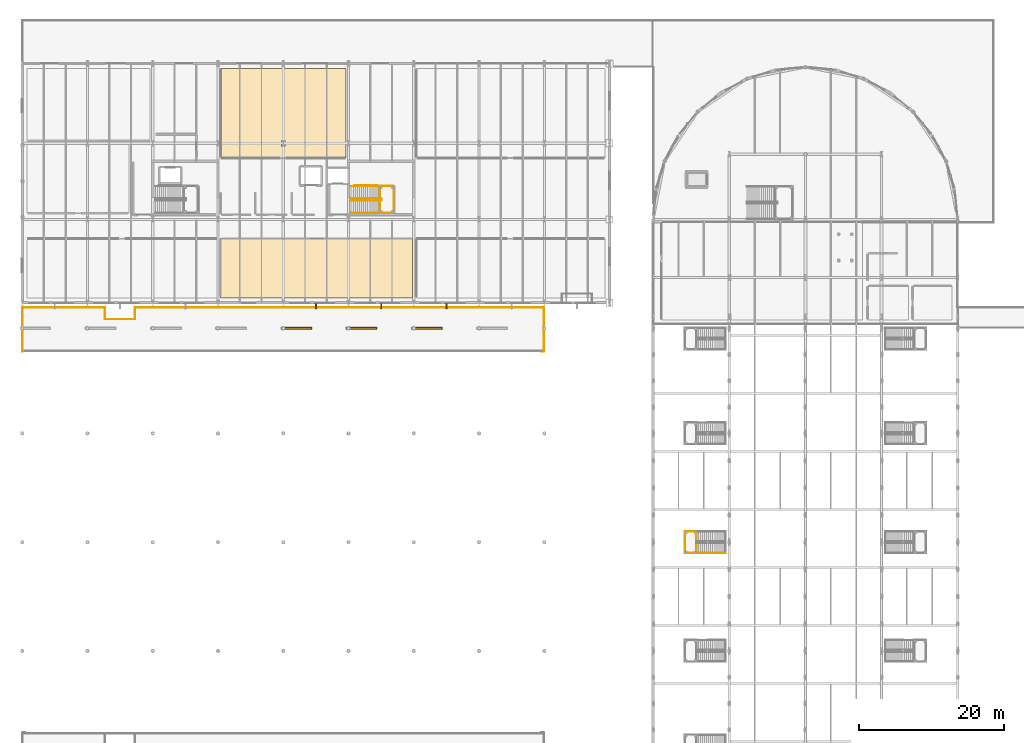
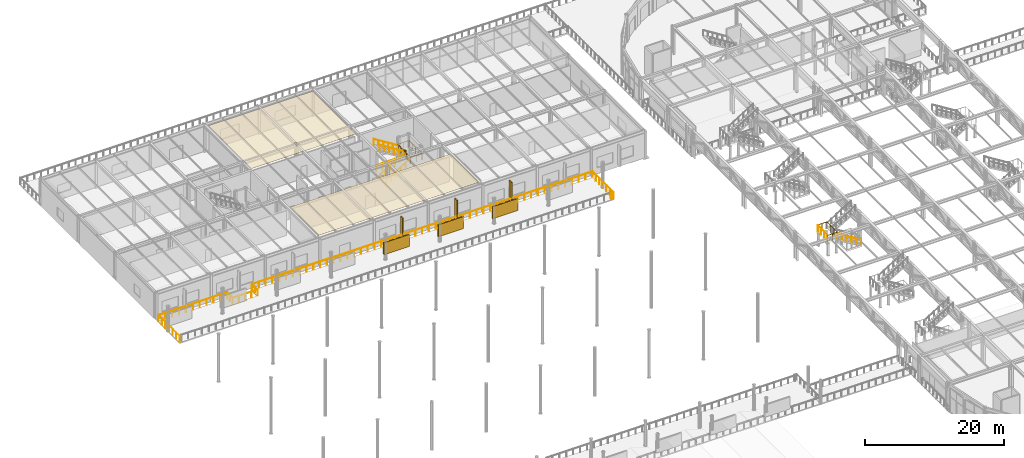
# One storey, part 127 of 143: 11 railings, 6 shading devices, 2 coverings.
"""IFC4 building model written with IfcOpenShell, lengths in metres."""

from ifc_helpers import new_model, si_unit, direction, frame, origin, origin_2d, place, context, subcontext, project, spatial, polyline, rectangle, circle, outline, extrude, material, layer, layer_set, type_object, element, save


model = new_model("IFC4")

# Units and contexts
model_context = context("Model", 3, precision=1e-05, world=origin(), true_north=direction((0.0, 1.0)))
body_context = subcontext(model_context, "Body", "Model", "MODEL_VIEW")
ifc_project = project(units=[si_unit("LENGTHUNIT", "METRE"), si_unit("AREAUNIT", "SQUARE_METRE"), si_unit("VOLUMEUNIT", "CUBIC_METRE"), si_unit("PLANEANGLEUNIT", "RADIAN"), si_unit("MASSUNIT", "GRAM", prefix="KILO")], contexts=[model_context])

# Site, building, storey
site_placement = place(None, origin())
site = spatial("IfcSite", under=ifc_project, at=site_placement, CompositionType="ELEMENT")
building_placement = place(site_placement, origin())
building = spatial("IfcBuilding", under=site, at=building_placement, Name="Marlcrest Central Station", CompositionType="ELEMENT")
storey_placement = place(building_placement, frame((0.0, 0.0, 4.800048828125)))
storey = spatial("IfcBuildingStorey", under=building, at=storey_placement, Name="L01", CompositionType="ELEMENT", Elevation=4.800048828125)

# Coverings
ifc_material_1 = material(Name="Perforated acoustic mineral-fibre ceiling")
ifc_layer = layer(ifc_material_1, 0.02490234375, Name="CV-CLG")
ifc_layer_set = layer_set([ifc_layer], Name="Perforated acoustic mineral-fibre ceiling")
covering_type = type_object("IfcCoveringType", Name="CV-CLG", PredefinedType="CEILING", material=ifc_layer_set)
covering_1_placement = place(storey_placement, frame((0.0, 0.0, 4.675048828125)))
element("IfcCovering", 1, at=covering_1_placement, inside=storey, type_object=covering_type, Name="cov-clg-0082", PredefinedType="CEILING", context=body_context, shape_type="SweptSolid", body=[
    extrude(outline(polyline([(53.840087890625, 99.659912109375), (53.840087890625, 107.840087890625), (27.360107421875, 107.840087890625), (27.360107421875, 99.659912109375), (53.840087890625, 99.659912109375)])), origin(), (0.0, 0.0, 1.0), 0.02490234375),
])
covering_2_placement = place(storey_placement, frame((0.0, 0.0, 4.675048828125)))
element("IfcCovering", 2, at=covering_2_placement, inside=storey, type_object=covering_type, Name="cov-clg-0086", PredefinedType="CEILING", context=body_context, shape_type="SweptSolid", body=[
    extrude(outline(polyline([(27.360107421875, 118.9599609375), (27.360107421875, 131.340087890625), (44.639892578125, 131.340087890625), (44.639892578125, 118.9599609375), (27.360107421875, 118.9599609375)]), holes=[polyline([(36.2099609375, 121.409912109375), (35.7900390625, 121.409912109375), (35.7900390625, 120.590087890625), (36.2099609375, 120.590087890625), (36.2099609375, 121.409912109375)])]), origin(), (0.0, 0.0, 1.0), 0.02490234375),
])

# Railings
ifc_material_2 = material(Name="Stainless steel and laminated glass concourse balustrade", Category="steel")
railing_type_1 = type_object("IfcRailingType", Name="GR-02", PredefinedType="BALUSTRADE", material=ifc_material_2)
railing_1_placement = place(storey_placement, frame((91.3798828125, 64.510009765625, 2.5)))
element("IfcRailing", 3, at=railing_1_placement, inside=storey, type_object=railing_type_1, Name="hr-L01-00084", PredefinedType="BALUSTRADE", context=body_context, shape_type="SweptSolid", body=[
    extrude(circle(Radius=0.02392578125, at=origin_2d()), frame((0.0, 0.0, 1.09619140625), z_axis=(1.0, 0.0, 0.0), x_axis=(0.0, 1.0, 0.0)), (0.0, 0.0, 1.0), 1.60009765625),
    extrude(circle(Radius=0.02392578125, at=origin_2d()), frame((1.60009765625, 0.0, 1.09619140625), z_axis=(0.0, 1.0, 0.0), x_axis=(-1.0, 0.0, 0.0)), (0.0, 0.0, 1.0), 2.97998046875),
    extrude(circle(Radius=0.02392578125, at=origin_2d()), frame((1.60009765625, 2.97998046875, 1.09619140625), z_axis=(-1.0, 0.0, 0.0), x_axis=(0.0, -1.0, 0.0)), (0.0, 0.0, 1.0), 1.60009765625),
    extrude(circle(Radius=0.02099609375, at=origin_2d()), origin(), (0.0, 0.0, 1.0), 1.072021484375),
    extrude(circle(Radius=0.02099609375, at=origin_2d()), frame((0.800048828125, 0.0, 0.0)), (0.0, 0.0, 1.0), 1.072021484375),
    extrude(circle(Radius=0.02099609375, at=origin_2d()), frame((1.60009765625, 0.0, 0.0)), (0.0, 0.0, 1.0), 1.072021484375),
    extrude(circle(Radius=0.02099609375, at=origin_2d()), frame((1.60009765625, 0.993408203125, 0.0)), (0.0, 0.0, 1.0), 1.072021484375),
    extrude(circle(Radius=0.02099609375, at=origin_2d()), frame((1.60009765625, 1.986572265625, 0.0)), (0.0, 0.0, 1.0), 1.072021484375),
    extrude(circle(Radius=0.02099609375, at=origin_2d()), frame((1.60009765625, 2.97998046875, 0.0)), (0.0, 0.0, 1.0), 1.072021484375),
    extrude(circle(Radius=0.02099609375, at=origin_2d()), frame((0.800048828125, 2.97998046875, 0.0)), (0.0, 0.0, 1.0), 1.072021484375),
    extrude(circle(Radius=0.02099609375, at=origin_2d()), frame((0.0, 2.97998046875, 0.0)), (0.0, 0.0, 1.0), 1.072021484375),
])
railing_2_placement = place(storey_placement, frame((49.320068359375, 111.409912109375, 2.5)))
element("IfcRailing", 4, at=railing_2_placement, inside=storey, type_object=railing_type_1, Name="hr-L01-00255", PredefinedType="BALUSTRADE", context=body_context, shape_type="SweptSolid", body=[
    extrude(circle(Radius=0.02392578125, at=origin_2d()), frame((0.0, 0.0, 1.09619140625), z_axis=(1.0, 0.0, 0.0), x_axis=(0.0, 1.0, 0.0)), (0.0, 0.0, 1.0), 1.919921875),
    extrude(circle(Radius=0.02392578125, at=origin_2d()), frame((1.919921875, 0.0, 1.09619140625), z_axis=(0.0, 1.0, 0.0), x_axis=(-1.0, 0.0, 0.0)), (0.0, 0.0, 1.0), 3.68017578125),
    extrude(circle(Radius=0.02392578125, at=origin_2d()), frame((1.919921875, 3.68017578125, 1.09619140625), z_axis=(-1.0, 0.0, 0.0), x_axis=(0.0, -1.0, 0.0)), (0.0, 0.0, 1.0), 1.919921875),
    extrude(circle(Radius=0.02099609375, at=origin_2d()), origin(), (0.0, 0.0, 1.0), 1.072021484375),
    extrude(circle(Radius=0.02099609375, at=origin_2d()), frame((0.9599609375, 0.0, 0.0)), (0.0, 0.0, 1.0), 1.072021484375),
    extrude(circle(Radius=0.02099609375, at=origin_2d()), frame((1.919921875, 0.0, 0.0)), (0.0, 0.0, 1.0), 1.072021484375),
    extrude(circle(Radius=0.02099609375, at=origin_2d()), frame((1.919921875, 0.919921875, 0.0)), (0.0, 0.0, 1.0), 1.072021484375),
    extrude(circle(Radius=0.02099609375, at=origin_2d()), frame((1.919921875, 1.840087890625, 0.0)), (0.0, 0.0, 1.0), 1.072021484375),
    extrude(circle(Radius=0.02099609375, at=origin_2d()), frame((1.919921875, 2.76025390625, 0.0)), (0.0, 0.0, 1.0), 1.072021484375),
    extrude(circle(Radius=0.02099609375, at=origin_2d()), frame((1.919921875, 3.68017578125, 0.0)), (0.0, 0.0, 1.0), 1.072021484375),
    extrude(circle(Radius=0.02099609375, at=origin_2d()), frame((0.9599609375, 3.68017578125, 0.0)), (0.0, 0.0, 1.0), 1.072021484375),
    extrude(circle(Radius=0.02099609375, at=origin_2d()), frame((0.0, 3.68017578125, 0.0)), (0.0, 0.0, 1.0), 1.072021484375),
])
railing_3_placement = place(storey_placement, frame((48.991943359375, 115.159912109375, 0.0)))
element("IfcRailing", 5, at=railing_3_placement, inside=storey, type_object=railing_type_1, Name="hr-L01-00315", PredefinedType="BALUSTRADE", context=body_context, shape_type="SweptSolid", body=[
    extrude(circle(Radius=0.02392578125, at=origin_2d()), frame((0.0, 0.0, 1.09619140625), z_axis=(-1.0, 0.0, 0.0), x_axis=(0.0, -1.0, 0.0)), (0.0, 0.0, 1.0), 3.171875),
    extrude(circle(Radius=0.02099609375, at=origin_2d()), origin(), (0.0, 0.0, 1.0), 1.072021484375),
    extrude(circle(Radius=0.02099609375, at=origin_2d()), frame((-1.057373046875, 0.0, 0.0)), (0.0, 0.0, 1.0), 1.072021484375),
    extrude(circle(Radius=0.02099609375, at=origin_2d()), frame((-2.114501953125, 0.0, 0.0)), (0.0, 0.0, 1.0), 1.072021484375),
    extrude(circle(Radius=0.02099609375, at=origin_2d()), frame((-3.171875, 0.0, 0.0)), (0.0, 0.0, 1.0), 1.072021484375),
])
railing_4_placement = place(storey_placement, frame((0.06005859375, 92.260009765625, 0.0)))
element("IfcRailing", 6, at=railing_4_placement, inside=storey, type_object=railing_type_1, Name="hr-L01-00392", PredefinedType="BALUSTRADE", context=body_context, shape_type="SweptSolid", body=[
    extrude(circle(Radius=0.02392578125, at=origin_2d()), frame((0.0, 0.0, 1.09619140625), z_axis=(0.0, 1.0, 0.0), x_axis=(-1.0, 0.0, 0.0)), (0.0, 0.0, 1.0), 6.080078125),
    extrude(circle(Radius=0.02392578125, at=origin_2d()), frame((0.0, 6.080078125, 1.09619140625), z_axis=(1.0, 0.0, 0.0), x_axis=(0.0, 1.0, 0.0)), (0.0, 0.0, 1.0), 11.3798828125),
    extrude(circle(Radius=0.02392578125, at=origin_2d()), frame((11.3798828125, 6.080078125, 1.09619140625), z_axis=(0.0, -1.0, 0.0), x_axis=(1.0, 0.0, 0.0)), (0.0, 0.0, 1.0), 1.60009765625),
    extrude(circle(Radius=0.02392578125, at=origin_2d()), frame((11.3798828125, 4.47998046875, 1.09619140625), z_axis=(1.0, 0.0, 0.0), x_axis=(0.0, 1.0, 0.0)), (0.0, 0.0, 1.0), 4.1201171875),
    extrude(circle(Radius=0.02392578125, at=origin_2d()), frame((15.5, 4.47998046875, 1.09619140625), z_axis=(0.0, 1.0, 0.0), x_axis=(-1.0, 0.0, 0.0)), (0.0, 0.0, 1.0), 1.60009765625),
    extrude(circle(Radius=0.02392578125, at=origin_2d()), frame((15.5, 6.080078125, 1.09619140625), z_axis=(1.0, 0.0, 0.0), x_axis=(0.0, 1.0, 0.0)), (0.0, 0.0, 1.0), 56.3798828125),
    extrude(circle(Radius=0.02392578125, at=origin_2d()), frame((71.8798828125, 6.080078125, 1.09619140625), z_axis=(0.0, -1.0, 0.0), x_axis=(1.0, 0.0, 0.0)), (0.0, 0.0, 1.0), 6.080078125),
    extrude(circle(Radius=0.02392578125, at=origin_2d()), frame((71.8798828125, 0.0, 1.09619140625), z_axis=(-1.0, 0.0, 0.0), x_axis=(0.0, -1.0, 0.0)), (0.0, 0.0, 1.0), 0.33984375),
    extrude(circle(Radius=0.02099609375, at=origin_2d()), origin(), (0.0, 0.0, 1.0), 1.072021484375),
    extrude(circle(Radius=0.02099609375, at=origin_2d()), frame((0.0, 1.013427734375, 0.0)), (0.0, 0.0, 1.0), 1.072021484375),
    extrude(circle(Radius=0.02099609375, at=origin_2d()), frame((0.0, 2.026611328125, 0.0)), (0.0, 0.0, 1.0), 1.072021484375),
    extrude(circle(Radius=0.02099609375, at=origin_2d()), frame((0.0, 3.0400390625, 0.0)), (0.0, 0.0, 1.0), 1.072021484375),
    extrude(circle(Radius=0.02099609375, at=origin_2d()), frame((0.0, 4.053466796875, 0.0)), (0.0, 0.0, 1.0), 1.072021484375),
    extrude(circle(Radius=0.02099609375, at=origin_2d()), frame((0.0, 5.066650390625, 0.0)), (0.0, 0.0, 1.0), 1.072021484375),
    extrude(circle(Radius=0.02099609375, at=origin_2d()), frame((0.0, 6.080078125, 0.0)), (0.0, 0.0, 1.0), 1.072021484375),
    extrude(circle(Radius=0.02099609375, at=origin_2d()), frame((1.137939453125, 6.080078125, 0.0)), (0.0, 0.0, 1.0), 1.072021484375),
    extrude(circle(Radius=0.02099609375, at=origin_2d()), frame((2.27587890625, 6.080078125, 0.0)), (0.0, 0.0, 1.0), 1.072021484375),
    extrude(circle(Radius=0.02099609375, at=origin_2d()), frame((3.4140625, 6.080078125, 0.0)), (0.0, 0.0, 1.0), 1.072021484375),
    extrude(circle(Radius=0.02099609375, at=origin_2d()), frame((4.552001953125, 6.080078125, 0.0)), (0.0, 0.0, 1.0), 1.072021484375),
    extrude(circle(Radius=0.02099609375, at=origin_2d()), frame((5.68994140625, 6.080078125, 0.0)), (0.0, 0.0, 1.0), 1.072021484375),
    extrude(circle(Radius=0.02099609375, at=origin_2d()), frame((6.827880859375, 6.080078125, 0.0)), (0.0, 0.0, 1.0), 1.072021484375),
    extrude(circle(Radius=0.02099609375, at=origin_2d()), frame((7.9658203125, 6.080078125, 0.0)), (0.0, 0.0, 1.0), 1.072021484375),
    extrude(circle(Radius=0.02099609375, at=origin_2d()), frame((9.10400390625, 6.080078125, 0.0)), (0.0, 0.0, 1.0), 1.072021484375),
    extrude(circle(Radius=0.02099609375, at=origin_2d()), frame((10.241943359375, 6.080078125, 0.0)), (0.0, 0.0, 1.0), 1.072021484375),
    extrude(circle(Radius=0.02099609375, at=origin_2d()), frame((11.3798828125, 6.080078125, 0.0)), (0.0, 0.0, 1.0), 1.072021484375),
    extrude(circle(Radius=0.02099609375, at=origin_2d()), frame((11.3798828125, 5.280029296875, 0.0)), (0.0, 0.0, 1.0), 1.072021484375),
    extrude(circle(Radius=0.02099609375, at=origin_2d()), frame((11.3798828125, 4.47998046875, 0.0)), (0.0, 0.0, 1.0), 1.072021484375),
    extrude(circle(Radius=0.02099609375, at=origin_2d()), frame((12.409912109375, 4.47998046875, 0.0)), (0.0, 0.0, 1.0), 1.072021484375),
    extrude(circle(Radius=0.02099609375, at=origin_2d()), frame((13.43994140625, 4.47998046875, 0.0)), (0.0, 0.0, 1.0), 1.072021484375),
    extrude(circle(Radius=0.02099609375, at=origin_2d()), frame((14.469970703125, 4.47998046875, 0.0)), (0.0, 0.0, 1.0), 1.072021484375),
    extrude(circle(Radius=0.02099609375, at=origin_2d()), frame((15.5, 4.47998046875, 0.0)), (0.0, 0.0, 1.0), 1.072021484375),
    extrude(circle(Radius=0.02099609375, at=origin_2d()), frame((15.5, 5.280029296875, 0.0)), (0.0, 0.0, 1.0), 1.072021484375),
    extrude(circle(Radius=0.02099609375, at=origin_2d()), frame((15.5, 6.080078125, 0.0)), (0.0, 0.0, 1.0), 1.072021484375),
    extrude(circle(Radius=0.02099609375, at=origin_2d()), frame((16.627685546875, 6.080078125, 0.0)), (0.0, 0.0, 1.0), 1.072021484375),
    extrude(circle(Radius=0.02099609375, at=origin_2d()), frame((17.755126953125, 6.080078125, 0.0)), (0.0, 0.0, 1.0), 1.072021484375),
    extrude(circle(Radius=0.02099609375, at=origin_2d()), frame((18.8828125, 6.080078125, 0.0)), (0.0, 0.0, 1.0), 1.072021484375),
    extrude(circle(Radius=0.02099609375, at=origin_2d()), frame((20.010498046875, 6.080078125, 0.0)), (0.0, 0.0, 1.0), 1.072021484375),
    extrude(circle(Radius=0.02099609375, at=origin_2d()), frame((21.137939453125, 6.080078125, 0.0)), (0.0, 0.0, 1.0), 1.072021484375),
    extrude(circle(Radius=0.02099609375, at=origin_2d()), frame((22.265625, 6.080078125, 0.0)), (0.0, 0.0, 1.0), 1.072021484375),
    extrude(circle(Radius=0.02099609375, at=origin_2d()), frame((23.39306640625, 6.080078125, 0.0)), (0.0, 0.0, 1.0), 1.072021484375),
    extrude(circle(Radius=0.02099609375, at=origin_2d()), frame((24.520751953125, 6.080078125, 0.0)), (0.0, 0.0, 1.0), 1.072021484375),
    extrude(circle(Radius=0.02099609375, at=origin_2d()), frame((25.6484375, 6.080078125, 0.0)), (0.0, 0.0, 1.0), 1.072021484375),
    extrude(circle(Radius=0.02099609375, at=origin_2d()), frame((26.77587890625, 6.080078125, 0.0)), (0.0, 0.0, 1.0), 1.072021484375),
    extrude(circle(Radius=0.02099609375, at=origin_2d()), frame((27.903564453125, 6.080078125, 0.0)), (0.0, 0.0, 1.0), 1.072021484375),
    extrude(circle(Radius=0.02099609375, at=origin_2d()), frame((29.03125, 6.080078125, 0.0)), (0.0, 0.0, 1.0), 1.072021484375),
    extrude(circle(Radius=0.02099609375, at=origin_2d()), frame((30.15869140625, 6.080078125, 0.0)), (0.0, 0.0, 1.0), 1.072021484375),
    extrude(circle(Radius=0.02099609375, at=origin_2d()), frame((31.286376953125, 6.080078125, 0.0)), (0.0, 0.0, 1.0), 1.072021484375),
    extrude(circle(Radius=0.02099609375, at=origin_2d()), frame((32.4140625, 6.080078125, 0.0)), (0.0, 0.0, 1.0), 1.072021484375),
    extrude(circle(Radius=0.02099609375, at=origin_2d()), frame((33.54150390625, 6.080078125, 0.0)), (0.0, 0.0, 1.0), 1.072021484375),
    extrude(circle(Radius=0.02099609375, at=origin_2d()), frame((34.669189453125, 6.080078125, 0.0)), (0.0, 0.0, 1.0), 1.072021484375),
    extrude(circle(Radius=0.02099609375, at=origin_2d()), frame((35.796875, 6.080078125, 0.0)), (0.0, 0.0, 1.0), 1.072021484375),
    extrude(circle(Radius=0.02099609375, at=origin_2d()), frame((36.92431640625, 6.080078125, 0.0)), (0.0, 0.0, 1.0), 1.072021484375),
    extrude(circle(Radius=0.02099609375, at=origin_2d()), frame((38.052001953125, 6.080078125, 0.0)), (0.0, 0.0, 1.0), 1.072021484375),
    extrude(circle(Radius=0.02099609375, at=origin_2d()), frame((39.179443359375, 6.080078125, 0.0)), (0.0, 0.0, 1.0), 1.072021484375),
    extrude(circle(Radius=0.02099609375, at=origin_2d()), frame((40.30712890625, 6.080078125, 0.0)), (0.0, 0.0, 1.0), 1.072021484375),
    extrude(circle(Radius=0.02099609375, at=origin_2d()), frame((41.434814453125, 6.080078125, 0.0)), (0.0, 0.0, 1.0), 1.072021484375),
    extrude(circle(Radius=0.02099609375, at=origin_2d()), frame((42.562255859375, 6.080078125, 0.0)), (0.0, 0.0, 1.0), 1.072021484375),
    extrude(circle(Radius=0.02099609375, at=origin_2d()), frame((43.68994140625, 6.080078125, 0.0)), (0.0, 0.0, 1.0), 1.072021484375),
    extrude(circle(Radius=0.02099609375, at=origin_2d()), frame((44.817626953125, 6.080078125, 0.0)), (0.0, 0.0, 1.0), 1.072021484375),
    extrude(circle(Radius=0.02099609375, at=origin_2d()), frame((45.945068359375, 6.080078125, 0.0)), (0.0, 0.0, 1.0), 1.072021484375),
    extrude(circle(Radius=0.02099609375, at=origin_2d()), frame((47.07275390625, 6.080078125, 0.0)), (0.0, 0.0, 1.0), 1.072021484375),
    extrude(circle(Radius=0.02099609375, at=origin_2d()), frame((48.200439453125, 6.080078125, 0.0)), (0.0, 0.0, 1.0), 1.072021484375),
    extrude(circle(Radius=0.02099609375, at=origin_2d()), frame((49.327880859375, 6.080078125, 0.0)), (0.0, 0.0, 1.0), 1.072021484375),
    extrude(circle(Radius=0.02099609375, at=origin_2d()), frame((50.45556640625, 6.080078125, 0.0)), (0.0, 0.0, 1.0), 1.072021484375),
    extrude(circle(Radius=0.02099609375, at=origin_2d()), frame((51.5830078125, 6.080078125, 0.0)), (0.0, 0.0, 1.0), 1.072021484375),
    extrude(circle(Radius=0.02099609375, at=origin_2d()), frame((52.710693359375, 6.080078125, 0.0)), (0.0, 0.0, 1.0), 1.072021484375),
    extrude(circle(Radius=0.02099609375, at=origin_2d()), frame((53.83837890625, 6.080078125, 0.0)), (0.0, 0.0, 1.0), 1.072021484375),
    extrude(circle(Radius=0.02099609375, at=origin_2d()), frame((54.9658203125, 6.080078125, 0.0)), (0.0, 0.0, 1.0), 1.072021484375),
    extrude(circle(Radius=0.02099609375, at=origin_2d()), frame((56.093505859375, 6.080078125, 0.0)), (0.0, 0.0, 1.0), 1.072021484375),
    extrude(circle(Radius=0.02099609375, at=origin_2d()), frame((57.22119140625, 6.080078125, 0.0)), (0.0, 0.0, 1.0), 1.072021484375),
    extrude(circle(Radius=0.02099609375, at=origin_2d()), frame((58.3486328125, 6.080078125, 0.0)), (0.0, 0.0, 1.0), 1.072021484375),
    extrude(circle(Radius=0.02099609375, at=origin_2d()), frame((59.476318359375, 6.080078125, 0.0)), (0.0, 0.0, 1.0), 1.072021484375),
    extrude(circle(Radius=0.02099609375, at=origin_2d()), frame((60.60400390625, 6.080078125, 0.0)), (0.0, 0.0, 1.0), 1.072021484375),
    extrude(circle(Radius=0.02099609375, at=origin_2d()), frame((61.7314453125, 6.080078125, 0.0)), (0.0, 0.0, 1.0), 1.072021484375),
    extrude(circle(Radius=0.02099609375, at=origin_2d()), frame((62.859130859375, 6.080078125, 0.0)), (0.0, 0.0, 1.0), 1.072021484375),
    extrude(circle(Radius=0.02099609375, at=origin_2d()), frame((63.98681640625, 6.080078125, 0.0)), (0.0, 0.0, 1.0), 1.072021484375),
    extrude(circle(Radius=0.02099609375, at=origin_2d()), frame((65.1142578125, 6.080078125, 0.0)), (0.0, 0.0, 1.0), 1.072021484375),
    extrude(circle(Radius=0.02099609375, at=origin_2d()), frame((66.241943359375, 6.080078125, 0.0)), (0.0, 0.0, 1.0), 1.072021484375),
    extrude(circle(Radius=0.02099609375, at=origin_2d()), frame((67.369384765625, 6.080078125, 0.0)), (0.0, 0.0, 1.0), 1.072021484375),
    extrude(circle(Radius=0.02099609375, at=origin_2d()), frame((68.4970703125, 6.080078125, 0.0)), (0.0, 0.0, 1.0), 1.072021484375),
    extrude(circle(Radius=0.02099609375, at=origin_2d()), frame((69.624755859375, 6.080078125, 0.0)), (0.0, 0.0, 1.0), 1.072021484375),
    extrude(circle(Radius=0.02099609375, at=origin_2d()), frame((70.752197265625, 6.080078125, 0.0)), (0.0, 0.0, 1.0), 1.072021484375),
    extrude(circle(Radius=0.02099609375, at=origin_2d()), frame((71.8798828125, 6.080078125, 0.0)), (0.0, 0.0, 1.0), 1.072021484375),
    extrude(circle(Radius=0.02099609375, at=origin_2d()), frame((71.8798828125, 5.066650390625, 0.0)), (0.0, 0.0, 1.0), 1.072021484375),
    extrude(circle(Radius=0.02099609375, at=origin_2d()), frame((71.8798828125, 4.053466796875, 0.0)), (0.0, 0.0, 1.0), 1.072021484375),
    extrude(circle(Radius=0.02099609375, at=origin_2d()), frame((71.8798828125, 3.0400390625, 0.0)), (0.0, 0.0, 1.0), 1.072021484375),
    extrude(circle(Radius=0.02099609375, at=origin_2d()), frame((71.8798828125, 2.026611328125, 0.0)), (0.0, 0.0, 1.0), 1.072021484375),
    extrude(circle(Radius=0.02099609375, at=origin_2d()), frame((71.8798828125, 1.013427734375, 0.0)), (0.0, 0.0, 1.0), 1.072021484375),
    extrude(circle(Radius=0.02099609375, at=origin_2d()), frame((71.8798828125, 0.0, 0.0)), (0.0, 0.0, 1.0), 1.072021484375),
    extrude(circle(Radius=0.02099609375, at=origin_2d()), frame((71.5400390625, 0.0, 0.0)), (0.0, 0.0, 1.0), 1.072021484375),
])
railing_5_placement = place(storey_placement, frame((91.39990234375, 64.64990234375, 2.5)))
element("IfcRailing", 7, at=railing_5_placement, inside=storey, type_object=railing_type_1, Name="hr-L01-00578", PredefinedType="BALUSTRADE", context=body_context, shape_type="SweptSolid", body=[
    extrude(circle(Radius=0.02392578125, at=origin_2d()), frame((0.0, 0.0, 1.09619140625), z_axis=(0.0, 1.0, 0.0), x_axis=(-1.0, 0.0, 0.0)), (0.0, 0.0, 1.0), 2.7001953125),
    extrude(circle(Radius=0.02099609375, at=origin_2d()), origin(), (0.0, 0.0, 1.0), 1.072021484375),
    extrude(circle(Radius=0.02099609375, at=origin_2d()), frame((0.0, 0.900146484375, 0.0)), (0.0, 0.0, 1.0), 1.072021484375),
    extrude(circle(Radius=0.02099609375, at=origin_2d()), frame((0.0, 1.800048828125, 0.0)), (0.0, 0.0, 1.0), 1.072021484375),
    extrude(circle(Radius=0.02099609375, at=origin_2d()), frame((0.0, 2.7001953125, 0.0)), (0.0, 0.0, 1.0), 1.072021484375),
])
railing_6_placement = place(storey_placement, frame((49.340087890625, 111.659912109375, 2.5)))
element("IfcRailing", 8, at=railing_6_placement, inside=storey, type_object=railing_type_1, Name="hr-L01-00603", PredefinedType="BALUSTRADE", context=body_context, shape_type="SweptSolid", body=[
    extrude(circle(Radius=0.02392578125, at=origin_2d()), frame((0.0, 0.0, 1.09619140625), z_axis=(0.0, 1.0, 0.0), x_axis=(-1.0, 0.0, 0.0)), (0.0, 0.0, 1.0), 1.469970703125),
    extrude(circle(Radius=0.02392578125, at=origin_2d()), frame((0.0, 1.469970703125, 1.09619140625), z_axis=(1.0, 0.0, 0.0), x_axis=(0.0, 1.0, 0.0)), (0.0, 0.0, 1.0), 0.25),
    extrude(circle(Radius=0.02392578125, at=origin_2d()), frame((0.25, 1.469970703125, 1.09619140625), z_axis=(0.0, 1.0, 0.0), x_axis=(-1.0, 0.0, 0.0)), (0.0, 0.0, 1.0), 0.240234375),
    extrude(circle(Radius=0.02392578125, at=origin_2d()), frame((0.25, 1.710205078125, 1.09619140625), z_axis=(-1.0, 0.0, 0.0), x_axis=(0.0, -1.0, 0.0)), (0.0, 0.0, 1.0), 0.25),
    extrude(circle(Radius=0.02392578125, at=origin_2d()), frame((0.0, 1.710205078125, 1.09619140625), z_axis=(0.0, 1.0, 0.0), x_axis=(-1.0, 0.0, 0.0)), (0.0, 0.0, 1.0), 1.469970703125),
    extrude(circle(Radius=0.02099609375, at=origin_2d()), origin(), (0.0, 0.0, 1.0), 1.072021484375),
    extrude(circle(Radius=0.02099609375, at=origin_2d()), frame((0.0, 0.73486328125, 0.0)), (0.0, 0.0, 1.0), 1.072021484375),
    extrude(circle(Radius=0.02099609375, at=origin_2d()), frame((0.0, 1.469970703125, 0.0)), (0.0, 0.0, 1.0), 1.072021484375),
    extrude(circle(Radius=0.02099609375, at=origin_2d()), frame((0.25, 1.469970703125, 0.0)), (0.0, 0.0, 1.0), 1.072021484375),
    extrude(circle(Radius=0.02099609375, at=origin_2d()), frame((0.25, 1.710205078125, 0.0)), (0.0, 0.0, 1.0), 1.072021484375),
    extrude(circle(Radius=0.02099609375, at=origin_2d()), frame((0.0, 1.710205078125, 0.0)), (0.0, 0.0, 1.0), 1.072021484375),
    extrude(circle(Radius=0.02099609375, at=origin_2d()), frame((0.0, 2.4453125, 0.0)), (0.0, 0.0, 1.0), 1.072021484375),
    extrude(circle(Radius=0.02099609375, at=origin_2d()), frame((0.0, 3.18017578125, 0.0)), (0.0, 0.0, 1.0), 1.072021484375),
])
ifc_material_3 = material(Name="Brushed stainless steel handrail", Category="steel")
railing_type_2 = type_object("IfcRailingType", Name="HR-01", PredefinedType="HANDRAIL", material=ifc_material_3)
railing_7_placement = place(storey_placement, frame((96.929931640625, 64.52490234375, 0.0)))
element("IfcRailing", 9, at=railing_7_placement, inside=storey, type_object=railing_type_2, Name="hr-L01-00080", PredefinedType="HANDRAIL", context=body_context, shape_type="SweptSolid", body=[
    extrude(circle(Radius=0.02392578125, at=origin_2d()), frame((0.0, 0.0, 0.89599609375), z_axis=(-0.847400605549, 0.0, 0.530954059892), x_axis=(0.0, -1.0, 0.0)), (0.0, 0.0, 1.0), 4.70849609375),
    extrude(circle(Radius=0.02099609375, at=origin_2d()), origin(), (0.0, 0.0, 1.0), 0.871826171875),
    extrude(circle(Radius=0.02099609375, at=origin_2d()), frame((-0.798095703125, 0.0, 0.5)), (0.0, 0.0, 1.0), 0.871826171875),
    extrude(circle(Radius=0.02099609375, at=origin_2d()), frame((-1.595947265625, 0.0, 1.0)), (0.0, 0.0, 1.0), 0.871826171875),
    extrude(circle(Radius=0.02099609375, at=origin_2d()), frame((-2.39404296875, 0.0, 1.5)), (0.0, 0.0, 1.0), 0.871826171875),
    extrude(circle(Radius=0.02099609375, at=origin_2d()), frame((-3.19189453125, 0.0, 2.0)), (0.0, 0.0, 1.0), 0.871826171875),
    extrude(circle(Radius=0.02099609375, at=origin_2d()), frame((-3.989990234375, 0.0, 2.5)), (0.0, 0.0, 1.0), 0.871826171875),
])
railing_8_placement = place(storey_placement, frame((45.3701171875, 111.419921875, 0.0)))
element("IfcRailing", 10, at=railing_8_placement, inside=storey, type_object=railing_type_2, Name="hr-L01-00251", PredefinedType="HANDRAIL", context=body_context, shape_type="SweptSolid", body=[
    extrude(circle(Radius=0.02392578125, at=origin_2d()), frame((0.0, 0.0, 0.89599609375), z_axis=(0.847400605549, 0.0, 0.530954059892), x_axis=(0.0, 1.0, 0.0)), (0.0, 0.0, 1.0), 4.70849609375),
    extrude(circle(Radius=0.02099609375, at=origin_2d()), origin(), (0.0, 0.0, 1.0), 0.871826171875),
    extrude(circle(Radius=0.02099609375, at=origin_2d()), frame((0.798095703125, 0.0, 0.5)), (0.0, 0.0, 1.0), 0.871826171875),
    extrude(circle(Radius=0.02099609375, at=origin_2d()), frame((1.595947265625, 0.0, 1.0)), (0.0, 0.0, 1.0), 0.871826171875),
    extrude(circle(Radius=0.02099609375, at=origin_2d()), frame((2.39404296875, 0.0, 1.5)), (0.0, 0.0, 1.0), 0.871826171875),
    extrude(circle(Radius=0.02099609375, at=origin_2d()), frame((3.19189453125, 0.0, 2.0)), (0.0, 0.0, 1.0), 0.871826171875),
    extrude(circle(Radius=0.02099609375, at=origin_2d()), frame((3.989990234375, 0.0, 2.5)), (0.0, 0.0, 1.0), 0.871826171875),
])
railing_9_placement = place(storey_placement, frame((49.360107421875, 113.3798828125, 2.5)))
element("IfcRailing", 11, at=railing_9_placement, inside=storey, type_object=railing_type_2, Name="hr-L01-00252", PredefinedType="HANDRAIL", context=body_context, shape_type="SweptSolid", body=[
    extrude(circle(Radius=0.02392578125, at=origin_2d()), frame((0.0, 0.0, 0.89599609375), z_axis=(-0.847400605549, 0.0, 0.530954059892), x_axis=(0.0, -1.0, 0.0)), (0.0, 0.0, 1.0), 4.70849609375),
    extrude(circle(Radius=0.02099609375, at=origin_2d()), origin(), (0.0, 0.0, 1.0), 0.871826171875),
    extrude(circle(Radius=0.02099609375, at=origin_2d()), frame((-0.798095703125, 0.0, 0.5)), (0.0, 0.0, 1.0), 0.871826171875),
    extrude(circle(Radius=0.02099609375, at=origin_2d()), frame((-1.595947265625, 0.0, 1.0)), (0.0, 0.0, 1.0), 0.871826171875),
    extrude(circle(Radius=0.02099609375, at=origin_2d()), frame((-2.39404296875, 0.0, 1.5)), (0.0, 0.0, 1.0), 0.871826171875),
    extrude(circle(Radius=0.02099609375, at=origin_2d()), frame((-3.19189453125, 0.0, 2.0)), (0.0, 0.0, 1.0), 0.871826171875),
    extrude(circle(Radius=0.02099609375, at=origin_2d()), frame((-3.989990234375, 0.0, 2.5)), (0.0, 0.0, 1.0), 0.871826171875),
])
railing_10_placement = place(storey_placement, frame((45.3701171875, 113.1201171875, 0.0)))
element("IfcRailing", 12, at=railing_10_placement, inside=storey, type_object=railing_type_2, Name="hr-L01-00253", PredefinedType="HANDRAIL", context=body_context, shape_type="SweptSolid", body=[
    extrude(circle(Radius=0.02392578125, at=origin_2d()), frame((0.0, 0.0, 0.89599609375), z_axis=(0.847400605549, 0.0, 0.530954059892), x_axis=(0.0, 1.0, 0.0)), (0.0, 0.0, 1.0), 4.70849609375),
    extrude(circle(Radius=0.02099609375, at=origin_2d()), origin(), (0.0, 0.0, 1.0), 0.871826171875),
    extrude(circle(Radius=0.02099609375, at=origin_2d()), frame((0.798095703125, 0.0, 0.5)), (0.0, 0.0, 1.0), 0.871826171875),
    extrude(circle(Radius=0.02099609375, at=origin_2d()), frame((1.595947265625, 0.0, 1.0)), (0.0, 0.0, 1.0), 0.871826171875),
    extrude(circle(Radius=0.02099609375, at=origin_2d()), frame((2.39404296875, 0.0, 1.5)), (0.0, 0.0, 1.0), 0.871826171875),
    extrude(circle(Radius=0.02099609375, at=origin_2d()), frame((3.19189453125, 0.0, 2.0)), (0.0, 0.0, 1.0), 0.871826171875),
    extrude(circle(Radius=0.02099609375, at=origin_2d()), frame((3.989990234375, 0.0, 2.5)), (0.0, 0.0, 1.0), 0.871826171875),
])
railing_11_placement = place(storey_placement, frame((49.360107421875, 115.080078125, 2.5)))
element("IfcRailing", 13, at=railing_11_placement, inside=storey, type_object=railing_type_2, Name="hr-L01-00254", PredefinedType="HANDRAIL", context=body_context, shape_type="SweptSolid", body=[
    extrude(circle(Radius=0.02392578125, at=origin_2d()), frame((0.0, 0.0, 0.89599609375), z_axis=(-0.847400605549, 0.0, 0.530954059892), x_axis=(0.0, -1.0, 0.0)), (0.0, 0.0, 1.0), 4.70849609375),
    extrude(circle(Radius=0.02099609375, at=origin_2d()), origin(), (0.0, 0.0, 1.0), 0.871826171875),
    extrude(circle(Radius=0.02099609375, at=origin_2d()), frame((-0.798095703125, 0.0, 0.5)), (0.0, 0.0, 1.0), 0.871826171875),
    extrude(circle(Radius=0.02099609375, at=origin_2d()), frame((-1.595947265625, 0.0, 1.0)), (0.0, 0.0, 1.0), 0.871826171875),
    extrude(circle(Radius=0.02099609375, at=origin_2d()), frame((-2.39404296875, 0.0, 1.5)), (0.0, 0.0, 1.0), 0.871826171875),
    extrude(circle(Radius=0.02099609375, at=origin_2d()), frame((-3.19189453125, 0.0, 2.0)), (0.0, 0.0, 1.0), 0.871826171875),
    extrude(circle(Radius=0.02099609375, at=origin_2d()), frame((-3.989990234375, 0.0, 2.5)), (0.0, 0.0, 1.0), 0.871826171875),
])

# Shading devices
ifc_material_4 = material(Name="Precast concrete C40/50", Category="concrete")
shading_device_type_1 = type_object("IfcShadingDeviceType", Name="SD-BS1", PredefinedType="USERDEFINED", material=ifc_material_4)
for number, where, z_axis, x_axis, name in (
    (14, (40.5, 98.534912109375, 0.375), (0.0, 0.0, 1.0), (1.0, 0.0, 0.0), "shd-L01-0038"),
    (15, (49.5, 98.534912109375, 0.375), (0.0, 0.0, 1.0), (1.0, 0.0, 0.0), "shd-L01-0039"),
    (16, (58.5, 98.534912109375, 0.375), (0.0, 0.0, 1.0), (1.0, 0.0, 0.0), "shd-L01-0040"),
):
    element("IfcShadingDevice", number, at=place(storey_placement, frame(where, z_axis=z_axis, x_axis=x_axis)), inside=storey, type_object=shading_device_type_1, Name=name, ObjectType="BRISE_SOLEIL", PredefinedType="USERDEFINED", context=body_context, shape_type="SweptSolid", body=[
        extrude(rectangle(XDim=0.179931640625, YDim=0.64990234375, at=origin_2d()), origin(), (0.0, 0.0, 1.0), 3.60009765625),
    ])
ifc_material_5 = material(Name="Bronze-anodised aluminium storm louvre", Category="aluminium")
shading_device_type_2 = type_object("IfcShadingDeviceType", Name="SD-JL2", PredefinedType="JALOUSIE", material=ifc_material_5)
for number, where, z_axis, x_axis, name in (
    (17, (37.800048828125, 95.5, 0.949951171875), (0.0, 0.0, 1.0), (1.0, 0.0, 0.0), "shd-L01-0073"),
    (18, (46.800048828125, 95.5, 0.949951171875), (0.0, 0.0, 1.0), (1.0, 0.0, 0.0), "shd-L01-0075"),
    (19, (55.800048828125, 95.5, 0.949951171875), (0.0, 0.0, 1.0), (1.0, 0.0, 0.0), "shd-L01-0077"),
):
    element("IfcShadingDevice", number, at=place(storey_placement, frame(where, z_axis=z_axis, x_axis=x_axis)), inside=storey, type_object=shading_device_type_2, Name=name, PredefinedType="JALOUSIE", context=body_context, shape_type="SweptSolid", body=[
        extrude(rectangle(XDim=4.199951171875, YDim=0.219970703125, at=origin_2d()), origin(), (0.0, 0.0, 1.0), 2.10009765625),
    ])

save(model, "model.ifc")
